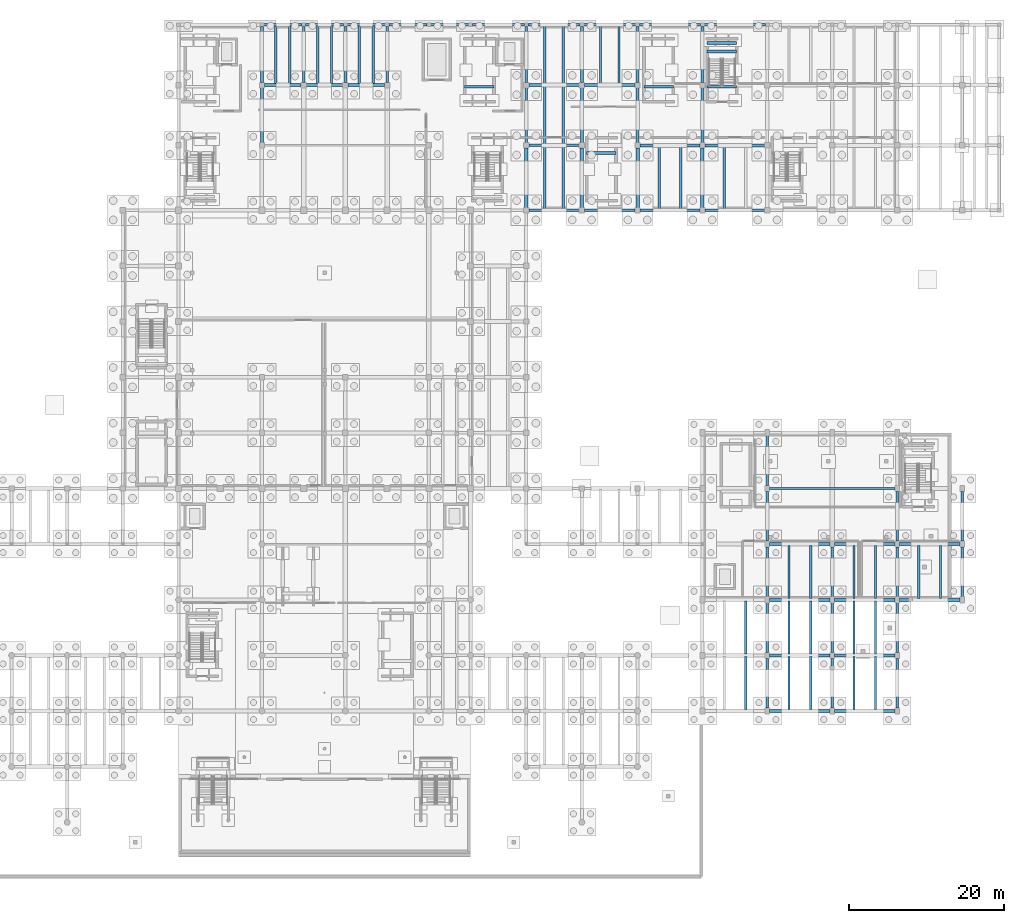
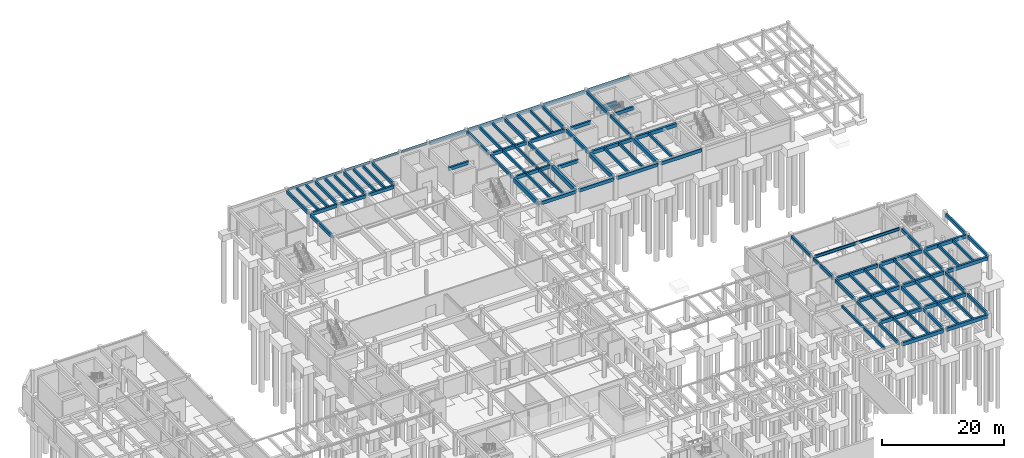
# One storey, part 22 of 46: 103 beams.
"""IFC4 building model written with IfcOpenShell, lengths in metres."""

import ifcopenshell
import ifcopenshell.guid

model = None  # the IFC model being written
_history = None  # IfcOwnerHistory: only IFC2X3 demands one
_inside = {}  # id of a spatial element -> (the spatial element, [elements in it])
_under = {}  # id of a project, library or spatial element -> (it, [spatial elements below it])
_declared = {}  # id of a project -> (the project, [libraries it declares])
_typed = {}  # id of a type object -> (the type object, [elements of that type])
_made_of = {}  # id of a material, layer set ... -> (it, [elements and type objects made of it])


def new_model(schema):
    """Start an empty IFC model of exactly this schema.

    Asked for "IFC4X3", IfcOpenShell would pick the latest addendum, in which some entities
    have other attributes; the version numbers below select the first issue.
    IFC2X3 requires an IfcOwnerHistory on every rooted entity: one is made here for all.
    """
    global model, _history
    if schema == "IFC4X3":
        model = ifcopenshell.file(schema_version=(4, 3, 0, 0))
    else:
        model = ifcopenshell.file(schema=schema)
    _inside.clear()
    _under.clear()
    _declared.clear()
    _typed.clear()
    _made_of.clear()
    _history = None
    if model.schema == "IFC2X3":
        org = make("IfcOrganization", Name="unknown")
        user = make(
            "IfcPersonAndOrganization",
            ThePerson=make("IfcPerson", FamilyName="unknown"),
            TheOrganization=org,
        )
        app = make(
            "IfcApplication",
            ApplicationDeveloper=org,
            Version="unknown",
            ApplicationFullName="unknown",
            ApplicationIdentifier="unknown",
        )
        _history = make(
            "IfcOwnerHistory",
            OwningUser=user,
            OwningApplication=app,
            ChangeAction="ADDED",
            CreationDate=0,
        )
    return model


def make(cls, **values):
    """One entity of the class cls with the attributes given. An attribute that is None is left unset."""
    return model.create_entity(
        cls, **{name: value for name, value in values.items() if value is not None}
    )


def rooted(cls, **values):
    """An entity with a GlobalId (a new one), such as an element, a storey or a relation."""
    return make(cls, GlobalId=ifcopenshell.guid.new(), OwnerHistory=_history, **values)


def si_unit(unit_type, name, prefix=None):
    """IfcSIUnit, for example si_unit("LENGTHUNIT", "METRE", prefix="MILLI")."""
    return make("IfcSIUnit", UnitType=unit_type, Prefix=prefix, Name=name)


def assignment(units):
    """IfcUnitAssignment: the units of a project."""
    return None if units is None else make("IfcUnitAssignment", Units=units)


def point(xyz):
    """IfcCartesianPoint."""
    return None if xyz is None else make("IfcCartesianPoint", Coordinates=xyz)


def direction(xyz):
    """IfcDirection."""
    return None if xyz is None else make("IfcDirection", DirectionRatios=xyz)


def frame(location, z_axis=None, x_axis=None):
    """IfcAxis2Placement3D, a coordinate frame: its origin and axes. An axis left out is left unset."""
    return make(
        "IfcAxis2Placement3D",
        Location=point(location),
        Axis=direction(z_axis),
        RefDirection=direction(x_axis),
    )


def frame_2d(location, x_axis=None):
    """IfcAxis2Placement2D, a coordinate frame in the plane: its origin and x axis."""
    return make(
        "IfcAxis2Placement2D", Location=point(location), RefDirection=direction(x_axis)
    )


def origin():
    """The frame at (0, 0, 0) with its axes left unset."""
    return frame((0.0, 0.0, 0.0))


def origin_2d():
    """The frame at (0, 0) in the plane with its x axis left unset."""
    return frame_2d((0.0, 0.0))


def place(relative_to, where):
    """IfcLocalPlacement: puts the frame where relative to a parent placement (None: the world)."""
    return make(
        "IfcLocalPlacement", PlacementRelTo=relative_to, RelativePlacement=where
    )


def context(
    kind, dimensions, precision=None, world=None, true_north=None, identifier=None
):
    """IfcGeometricRepresentationContext, for example the 3D "Model" context."""
    return make(
        "IfcGeometricRepresentationContext",
        ContextIdentifier=identifier,
        ContextType=kind,
        CoordinateSpaceDimension=dimensions,
        Precision=precision,
        WorldCoordinateSystem=world,
        TrueNorth=true_north,
    )


def subcontext(parent, identifier, kind, view, scale=None):
    """IfcGeometricRepresentationSubContext, for example "Body" below "Model"."""
    return make(
        "IfcGeometricRepresentationSubContext",
        ContextIdentifier=identifier,
        ContextType=kind,
        ParentContext=parent,
        TargetScale=scale,
        TargetView=view,
    )


def project(units=None, contexts=None):
    """IfcProject with its units and contexts."""
    return rooted(
        "IfcProject",
        Name="project",
        RepresentationContexts=contexts,
        UnitsInContext=assignment(units),
    )


def spatial(cls, under=None, at=None, **own):
    """A site, building, storey or space (cls), placed at a placement, below another one or the project."""
    s = rooted(cls, ObjectPlacement=at, **own)
    if under is not None:
        _under.setdefault(under.id(), (under, []))[1].append(s)
    return s


def profile(cls, at=None, kind="AREA", **sizes):
    """A parametric profile (cls). Its sizes go by their IFC names, for example OverallWidth=200.0."""
    return make(cls, ProfileType=kind, Position=at, **sizes)


def rectangle(**sizes):
    """IfcRectangleProfileDef."""
    return profile("IfcRectangleProfileDef", **sizes)


def i_section(**sizes):
    """IfcIShapeProfileDef."""
    return profile("IfcIShapeProfileDef", **sizes)


def extrude(swept, where, along, depth):
    """IfcExtrudedAreaSolid: the profile swept, set in the frame where, extruded along a direction by depth."""
    return make(
        "IfcExtrudedAreaSolid",
        SweptArea=swept,
        Position=where,
        ExtrudedDirection=direction(along),
        Depth=depth,
    )


def shape(context_of_items, identifier, shape_type, items):
    """IfcShapeRepresentation: the items that make up one representation, for example the "Body"."""
    return make(
        "IfcShapeRepresentation",
        ContextOfItems=context_of_items,
        RepresentationIdentifier=identifier,
        RepresentationType=shape_type,
        Items=items,
    )


def material(Name=None, Category=None):
    """IfcMaterial."""
    return make("IfcMaterial", Name=Name, Category=Category)


def material_profile(
    of_material, cross_section, Name=None, Category=None, Priority=None
):
    """IfcMaterialProfile: a cross section and its material."""
    return make(
        "IfcMaterialProfile",
        Name=Name,
        Material=of_material,
        Profile=cross_section,
        Priority=Priority,
        Category=Category,
    )


def profile_set(profiles, Name=None, composite=None):
    """IfcMaterialProfileSet."""
    return make(
        "IfcMaterialProfileSet",
        Name=Name,
        MaterialProfiles=profiles,
        CompositeProfile=composite,
    )


def made_of(thing, what):
    """Note that an element or type object is made of a material, layer set ...; save() writes the relation."""
    if what is not None:
        _made_of.setdefault(what.id(), (what, []))[1].append(thing)
    return thing


def type_object(cls, material=None, **own):
    """A type object (cls), such as IfcWallType, which elements share."""
    return made_of(rooted(cls, **own), material)


def element(
    cls,
    number,
    at=None,
    inside=None,
    cuts=None,
    type_object=None,
    material=None,
    context=None,
    identifier="Body",
    shape_type=None,
    held_by="IfcProductDefinitionShape",
    body=None,
    shapes=None,
    **own,
):
    """One element of the class cls, such as IfcWall. Its Tag is "e" and its number.

    at: its placement. inside: the storey or other place that contains it. cuts: it is an
    opening in that element (IfcRelVoidsElement). A single representation is given by context,
    identifier, shape_type and body (its items); several are given by shapes. held_by: the class
    of the entity that holds the representations. save() writes the other relations.
    """
    e = rooted(cls, Tag="e%d" % number, ObjectPlacement=at, **own)
    if body is not None:
        shapes = [shape(context, identifier, shape_type, body)]
    if shapes is not None:
        e.Representation = make(held_by, Representations=shapes)
    if inside is not None:
        _inside.setdefault(inside.id(), (inside, []))[1].append(e)
    if cuts is not None:
        rooted(
            "IfcRelVoidsElement", RelatingBuildingElement=cuts, RelatedOpeningElement=e
        )
    if type_object is not None:
        _typed.setdefault(type_object.id(), (type_object, []))[1].append(e)
    return made_of(e, material)


def aggregate(whole, parts):
    """IfcRelAggregates: a whole, such as a stair, and the parts it consists of."""
    return rooted("IfcRelAggregates", RelatingObject=whole, RelatedObjects=parts)


def save(model, path):
    """Write the relations noted so far, then the file.

    IfcRelAggregates (storeys below a building ...), IfcRelContainedInSpatialStructure (elements
    in a storey), IfcRelDefinesByType, IfcRelAssociatesMaterial and IfcRelDeclares: one each for
    every whole, place, type object, material and project.
    """
    for whole, parts in _under.values():
        aggregate(whole, parts)
    for where, things in _inside.values():
        rooted(
            "IfcRelContainedInSpatialStructure",
            RelatedElements=things,
            RelatingStructure=where,
        )
    for kind, things in _typed.values():
        rooted("IfcRelDefinesByType", RelatedObjects=things, RelatingType=kind)
    for what, things in _made_of.values():
        rooted("IfcRelAssociatesMaterial", RelatedObjects=things, RelatingMaterial=what)
    for by, libraries in _declared.values():
        rooted("IfcRelDeclares", RelatingContext=by, RelatedDefinitions=libraries)
    model.write(path)


model = new_model("IFC4")

# Units and contexts
model_context = context("Model", 3, precision=1e-05, world=origin(), true_north=direction((0.0, 1.0)))
body_context = subcontext(model_context, "Body", "Model", "MODEL_VIEW")
ifc_project = project(units=[si_unit("LENGTHUNIT", "METRE"), si_unit("AREAUNIT", "SQUARE_METRE"), si_unit("VOLUMEUNIT", "CUBIC_METRE"), si_unit("PLANEANGLEUNIT", "RADIAN"), si_unit("MASSUNIT", "GRAM", prefix="KILO")], contexts=[model_context])

# Site, building, storey
site_placement = place(None, origin())
site = spatial("IfcSite", under=ifc_project, at=site_placement, CompositionType="ELEMENT")
building_placement = place(site_placement, origin())
building = spatial("IfcBuilding", under=site, at=building_placement, Name="Tazoul Stagehouse", CompositionType="ELEMENT")
storey_placement = place(building_placement, frame((0.0, 0.0, -4.800048828125)))
storey = spatial("IfcBuildingStorey", under=building, at=storey_placement, Name="B1", CompositionType="ELEMENT", Elevation=-4.800048828125)

# Beams
ifc_material_1 = material(Name="Concrete C40/50", Category="concrete")
ifc_material_profile_1 = material_profile(ifc_material_1, rectangle(XDim=0.35009765625, YDim=0.64990234375, at=origin_2d()), Name="RC 350x650")
ifc_profile_set_1 = profile_set([ifc_material_profile_1], Name="Concrete C40/50")
beam_type_1 = type_object("IfcBeamType", Name="RC Perimeter Spandrel 350x650 (Exterior)", PredefinedType="SPANDREL", material=ifc_profile_set_1)
for number, where, z_axis, x_axis, name in (
    (1, (102.925048828125, 87.800048828125, 4.153076171875), (1.0, 0.0, 0.0), (0.0, 1.0, 0.0), "B1 Beam SP-01E N/16-17"),
    (2, (110.125, 87.800048828125, 4.153076171875), (1.0, 0.0, 0.0), (0.0, 1.0, 0.0), "B1 Beam SP-01E N/17-18"),
):
    element("IfcBeam", number, at=place(storey_placement, frame(where, z_axis=z_axis, x_axis=x_axis)), inside=storey, type_object=beam_type_1, Name=name, PredefinedType="SPANDREL", context=body_context, shape_type="SweptSolid", body=[
        extrude(rectangle(XDim=0.35009765625, YDim=0.64990234375, at=origin_2d()), origin(), (0.0, 0.0, 1.0), 6.550048828125),
    ])
for number, where, z_axis, x_axis, name in (
    (3, (117.324951171875, 87.800048828125, 4.153076171875), (1.0, 0.0, 0.0), (0.0, 1.0, 0.0), "B1 Beam SP-01E N/18-19"),
    (4, (125.72509765625, 87.800048828125, 4.153076171875), (1.0, 0.0, 0.0), (0.0, 1.0, 0.0), "B1 Beam SP-01E N/19-20"),
):
    element("IfcBeam", number, at=place(storey_placement, frame(where, z_axis=z_axis, x_axis=x_axis)), inside=storey, type_object=beam_type_1, Name=name, PredefinedType="SPANDREL", context=body_context, shape_type="SweptSolid", body=[
        extrude(rectangle(XDim=0.35009765625, YDim=0.64990234375, at=origin_2d()), origin(), (0.0, 0.0, 1.0), 7.75),
    ])
for number, where, z_axis, x_axis, name in (
    (5, (95.625, 111.800048828125, 4.153076171875), (1.0, 0.0, 0.0), (0.0, 1.0, 0.0), "B1 Beam SP-01E R/15-16"),
    (6, (102.824951171875, 111.800048828125, 4.153076171875), (1.0, 0.0, 0.0), (0.0, 1.0, 0.0), "B1 Beam SP-01E R/16-17"),
    (7, (110.02490234375, 111.800048828125, 4.153076171875), (1.0, 0.0, 0.0), (0.0, 1.0, 0.0), "B1 Beam SP-01E R/17-18"),
):
    element("IfcBeam", number, at=place(storey_placement, frame(where, z_axis=z_axis, x_axis=x_axis)), inside=storey, type_object=beam_type_1, Name=name, PredefinedType="SPANDREL", context=body_context, shape_type="SweptSolid", body=[
        extrude(rectangle(XDim=0.35009765625, YDim=0.64990234375, at=origin_2d()), origin(), (0.0, 0.0, 1.0), 6.75),
    ])
for number, where, z_axis, x_axis, name in (
    (8, (117.22509765625, 111.800048828125, 4.153076171875), (1.0, 0.0, 0.0), (0.0, 1.0, 0.0), "B1 Beam SP-01E R/18-19"),
    (9, (125.625, 111.800048828125, 4.153076171875), (1.0, 0.0, 0.0), (0.0, 1.0, 0.0), "B1 Beam SP-01E R/19-20"),
):
    element("IfcBeam", number, at=place(storey_placement, frame(where, z_axis=z_axis, x_axis=x_axis)), inside=storey, type_object=beam_type_1, Name=name, PredefinedType="SPANDREL", context=body_context, shape_type="SweptSolid", body=[
        extrude(rectangle(XDim=0.35009765625, YDim=0.64990234375, at=origin_2d()), origin(), (0.0, 0.0, 1.0), 7.949951171875),
    ])
ifc_material_profile_2 = material_profile(ifc_material_1, rectangle(XDim=0.35009765625, YDim=0.64990234375, at=origin_2d()), Name="RC 350x650")
ifc_profile_set_2 = profile_set([ifc_material_profile_2], Name="Concrete C40/50")
beam_type_2 = type_object("IfcBeamType", Name="RC Primary Girder 350x650", PredefinedType="BEAM", material=ifc_profile_set_2)
beam_1_placement = place(storey_placement, frame((102.925048828125, 96.199951171875, 4.153076171875), z_axis=(1.0, 0.0, 0.0), x_axis=(0.0, 1.0, 0.0)))
element("IfcBeam", 10, at=beam_1_placement, inside=storey, type_object=beam_type_2, Name="B1 Beam BM-01 P/16-17", PredefinedType="BEAM", context=body_context, shape_type="SweptSolid", body=[
    extrude(rectangle(XDim=0.35009765625, YDim=0.64990234375, at=origin_2d()), origin(), (0.0, 0.0, 1.0), 6.550048828125),
])
for number, where, z_axis, x_axis, name in (
    (11, (68.72509765625, 104.0, 4.153076171875), (1.0, 0.0, 0.0), (0.0, 1.0, 0.0), "B1 Beam BM-01 Q/10-11"),
    (12, (74.125, 104.0, 4.153076171875), (1.0, 0.0, 0.0), (0.0, 1.0, 0.0), "B1 Beam BM-01 Q/11-12"),
    (13, (79.52490234375, 104.0, 4.153076171875), (1.0, 0.0, 0.0), (0.0, 1.0, 0.0), "B1 Beam BM-01 Q/12-13"),
):
    element("IfcBeam", number, at=place(storey_placement, frame(where, z_axis=z_axis, x_axis=x_axis)), inside=storey, type_object=beam_type_2, Name=name, PredefinedType="BEAM", context=body_context, shape_type="SweptSolid", body=[
        extrude(rectangle(XDim=0.35009765625, YDim=0.64990234375, at=origin_2d()), origin(), (0.0, 0.0, 1.0), 4.75),
    ])
for number, where, z_axis, x_axis, name in (
    (14, (102.925048828125, 104.0, 4.153076171875), (1.0, 0.0, 0.0), (0.0, 1.0, 0.0), "B1 Beam BM-01 Q/16-17"),
    (15, (110.125, 104.0, 4.153076171875), (1.0, 0.0, 0.0), (0.0, 1.0, 0.0), "B1 Beam BM-01 Q/17-18"),
):
    element("IfcBeam", number, at=place(storey_placement, frame(where, z_axis=z_axis, x_axis=x_axis)), inside=storey, type_object=beam_type_2, Name=name, PredefinedType="BEAM", context=body_context, shape_type="SweptSolid", body=[
        extrude(rectangle(XDim=0.35009765625, YDim=0.64990234375, at=origin_2d()), origin(), (0.0, 0.0, 1.0), 6.550048828125),
    ])
beam_2_placement = place(storey_placement, frame((68.39990234375, 96.52490234375, 4.153076171875), z_axis=(0.0, 1.0, 0.0), x_axis=(-1.0, 0.0, 0.0)))
element("IfcBeam", 16, at=beam_2_placement, inside=storey, type_object=beam_type_2, Name="B1 Beam BM-01 10/P-Q", PredefinedType="BEAM", context=body_context, shape_type="SweptSolid", body=[
    extrude(rectangle(XDim=0.35009765625, YDim=0.64990234375, at=origin_2d()), origin(), (0.0, 0.0, 1.0), 7.150146484375),
])
for number, where, z_axis, x_axis, name in (
    (17, (68.39990234375, 104.324951171875, 4.153076171875), (0.0, 1.0, 0.0), (-1.0, 0.0, 0.0), "B1 Beam BM-01 10/Q-R"),
    (18, (73.800048828125, 104.324951171875, 4.153076171875), (0.0, 1.0, 0.0), (-1.0, 0.0, 0.0), "B1 Beam BM-01 11/Q-R"),
    (19, (79.199951171875, 104.324951171875, 4.153076171875), (0.0, 1.0, 0.0), (-1.0, 0.0, 0.0), "B1 Beam BM-01 12/Q-R"),
    (20, (84.60009765625, 104.324951171875, 4.153076171875), (0.0, 1.0, 0.0), (-1.0, 0.0, 0.0), "B1 Beam BM-01 13/Q-R"),
):
    element("IfcBeam", number, at=place(storey_placement, frame(where, z_axis=z_axis, x_axis=x_axis)), inside=storey, type_object=beam_type_2, Name=name, PredefinedType="BEAM", context=body_context, shape_type="SweptSolid", body=[
        extrude(rectangle(XDim=0.35009765625, YDim=0.64990234375, at=origin_2d()), origin(), (0.0, 0.0, 1.0), 7.25),
    ])
beam_3_placement = place(storey_placement, frame((102.60009765625, 96.52490234375, 4.153076171875), z_axis=(0.0, 1.0, 0.0), x_axis=(-1.0, 0.0, 0.0)))
element("IfcBeam", 21, at=beam_3_placement, inside=storey, type_object=beam_type_2, Name="B1 Beam BM-01 16/P-Q", PredefinedType="BEAM", context=body_context, shape_type="SweptSolid", body=[
    extrude(rectangle(XDim=0.35009765625, YDim=0.64990234375, at=origin_2d()), origin(), (0.0, 0.0, 1.0), 7.150146484375),
])
beam_4_placement = place(storey_placement, frame((102.60009765625, 104.324951171875, 4.153076171875), z_axis=(0.0, 1.0, 0.0), x_axis=(-1.0, 0.0, 0.0)))
element("IfcBeam", 22, at=beam_4_placement, inside=storey, type_object=beam_type_2, Name="B1 Beam BM-01 16/Q-R", PredefinedType="BEAM", context=body_context, shape_type="SweptSolid", body=[
    extrude(rectangle(XDim=0.35009765625, YDim=0.64990234375, at=origin_2d()), origin(), (0.0, 0.0, 1.0), 7.25),
])
beam_5_placement = place(storey_placement, frame((109.800048828125, 96.52490234375, 4.153076171875), z_axis=(0.0, 1.0, 0.0), x_axis=(-1.0, 0.0, 0.0)))
element("IfcBeam", 23, at=beam_5_placement, inside=storey, type_object=beam_type_2, Name="B1 Beam BM-01 17/P-Q", PredefinedType="BEAM", context=body_context, shape_type="SweptSolid", body=[
    extrude(rectangle(XDim=0.35009765625, YDim=0.64990234375, at=origin_2d()), origin(), (0.0, 0.0, 1.0), 7.150146484375),
])
beam_6_placement = place(storey_placement, frame((109.800048828125, 104.324951171875, 4.153076171875), z_axis=(0.0, 1.0, 0.0), x_axis=(-1.0, 0.0, 0.0)))
element("IfcBeam", 24, at=beam_6_placement, inside=storey, type_object=beam_type_2, Name="B1 Beam BM-01 17/Q-R", PredefinedType="BEAM", context=body_context, shape_type="SweptSolid", body=[
    extrude(rectangle(XDim=0.35009765625, YDim=0.64990234375, at=origin_2d()), origin(), (0.0, 0.0, 1.0), 7.25),
])
beam_7_placement = place(storey_placement, frame((117.0, 96.52490234375, 4.153076171875), z_axis=(0.0, 1.0, 0.0), x_axis=(-1.0, 0.0, 0.0)))
element("IfcBeam", 25, at=beam_7_placement, inside=storey, type_object=beam_type_2, Name="B1 Beam BM-01 18/P-Q", PredefinedType="BEAM", context=body_context, shape_type="SweptSolid", body=[
    extrude(rectangle(XDim=0.35009765625, YDim=0.64990234375, at=origin_2d()), origin(), (0.0, 0.0, 1.0), 7.150146484375),
])
beam_8_placement = place(storey_placement, frame((117.0, 104.324951171875, 4.153076171875), z_axis=(0.0, 1.0, 0.0), x_axis=(-1.0, 0.0, 0.0)))
element("IfcBeam", 26, at=beam_8_placement, inside=storey, type_object=beam_type_2, Name="B1 Beam BM-01 18/Q-R", PredefinedType="BEAM", context=body_context, shape_type="SweptSolid", body=[
    extrude(rectangle(XDim=0.35009765625, YDim=0.64990234375, at=origin_2d()), origin(), (0.0, 0.0, 1.0), 7.25),
])
beam_9_placement = place(storey_placement, frame((125.39990234375, 96.52490234375, 4.153076171875), z_axis=(0.0, 1.0, 0.0), x_axis=(-1.0, 0.0, 0.0)))
element("IfcBeam", 27, at=beam_9_placement, inside=storey, type_object=beam_type_2, Name="B1 Beam BM-01 19/P-Q", PredefinedType="BEAM", context=body_context, shape_type="SweptSolid", body=[
    extrude(rectangle(XDim=0.35009765625, YDim=0.64990234375, at=origin_2d()), origin(), (0.0, 0.0, 1.0), 7.150146484375),
])
beam_10_placement = place(storey_placement, frame((125.39990234375, 104.324951171875, 4.153076171875), z_axis=(0.0, 1.0, 0.0), x_axis=(-1.0, 0.0, 0.0)))
element("IfcBeam", 28, at=beam_10_placement, inside=storey, type_object=beam_type_2, Name="B1 Beam BM-01 19/Q-R", PredefinedType="BEAM", context=body_context, shape_type="SweptSolid", body=[
    extrude(rectangle(XDim=0.35009765625, YDim=0.64990234375, at=origin_2d()), origin(), (0.0, 0.0, 1.0), 7.25),
])
for number, where, z_axis, x_axis, name in (
    (29, (133.800048828125, 23.375, 4.193115234375), (0.0, 1.0, 0.0), (-1.0, 0.0, 0.0), "B1 Beam BM-01 20/D-E"),
    (30, (133.800048828125, 30.574951171875, 4.193115234375), (0.0, 1.0, 0.0), (-1.0, 0.0, 0.0), "B1 Beam BM-01 20/E-F"),
):
    element("IfcBeam", number, at=place(storey_placement, frame(where, z_axis=z_axis, x_axis=x_axis)), inside=storey, type_object=beam_type_2, Name=name, PredefinedType="BEAM", context=body_context, shape_type="SweptSolid", body=[
        extrude(rectangle(XDim=0.35009765625, YDim=0.64990234375, at=origin_2d()), origin(), (0.0, 0.0, 1.0), 6.449951171875),
    ])
beam_11_placement = place(storey_placement, frame((133.800048828125, 37.77490234375, 4.193115234375), z_axis=(0.0, 1.0, 0.0), x_axis=(-1.0, 0.0, 0.0)))
element("IfcBeam", 31, at=beam_11_placement, inside=storey, type_object=beam_type_2, Name="B1 Beam BM-01 20/F-G", PredefinedType="BEAM", context=body_context, shape_type="SweptSolid", body=[
    extrude(rectangle(XDim=0.35009765625, YDim=0.64990234375, at=origin_2d()), origin(), (0.0, 0.0, 1.0), 6.4501953125),
])
for number, where, z_axis, x_axis, name in (
    (32, (133.800048828125, 44.97509765625, 4.193115234375), (0.0, 1.0, 0.0), (-1.0, 0.0, 0.0), "B1 Beam BM-01 20/G-H"),
    (33, (133.800048828125, 52.175048828125, 4.193115234375), (0.0, 1.0, 0.0), (-1.0, 0.0, 0.0), "B1 Beam BM-01 20/H-J"),
    (34, (142.199951171875, 23.375, 4.193115234375), (0.0, 1.0, 0.0), (-1.0, 0.0, 0.0), "B1 Beam BM-01 21/D-E"),
    (35, (142.199951171875, 30.574951171875, 4.193115234375), (0.0, 1.0, 0.0), (-1.0, 0.0, 0.0), "B1 Beam BM-01 21/E-F"),
):
    element("IfcBeam", number, at=place(storey_placement, frame(where, z_axis=z_axis, x_axis=x_axis)), inside=storey, type_object=beam_type_2, Name=name, PredefinedType="BEAM", context=body_context, shape_type="SweptSolid", body=[
        extrude(rectangle(XDim=0.35009765625, YDim=0.64990234375, at=origin_2d()), origin(), (0.0, 0.0, 1.0), 6.449951171875),
    ])
beam_12_placement = place(storey_placement, frame((142.199951171875, 37.77490234375, 4.193115234375), z_axis=(0.0, 1.0, 0.0), x_axis=(-1.0, 0.0, 0.0)))
element("IfcBeam", 36, at=beam_12_placement, inside=storey, type_object=beam_type_2, Name="B1 Beam BM-01 21/F-G", PredefinedType="BEAM", context=body_context, shape_type="SweptSolid", body=[
    extrude(rectangle(XDim=0.35009765625, YDim=0.64990234375, at=origin_2d()), origin(), (0.0, 0.0, 1.0), 6.4501953125),
])
for number, where, z_axis, x_axis, name in (
    (37, (150.60009765625, 23.375, 4.193115234375), (0.0, 1.0, 0.0), (-1.0, 0.0, 0.0), "B1 Beam BM-01 22/D-E"),
    (38, (150.60009765625, 30.574951171875, 4.193115234375), (0.0, 1.0, 0.0), (-1.0, 0.0, 0.0), "B1 Beam BM-01 22/E-F"),
):
    element("IfcBeam", number, at=place(storey_placement, frame(where, z_axis=z_axis, x_axis=x_axis)), inside=storey, type_object=beam_type_2, Name=name, PredefinedType="BEAM", context=body_context, shape_type="SweptSolid", body=[
        extrude(rectangle(XDim=0.35009765625, YDim=0.64990234375, at=origin_2d()), origin(), (0.0, 0.0, 1.0), 6.449951171875),
    ])
beam_13_placement = place(storey_placement, frame((150.60009765625, 37.77490234375, 4.193115234375), z_axis=(0.0, 1.0, 0.0), x_axis=(-1.0, 0.0, 0.0)))
element("IfcBeam", 39, at=beam_13_placement, inside=storey, type_object=beam_type_2, Name="B1 Beam BM-01 22/F-G", PredefinedType="BEAM", context=body_context, shape_type="SweptSolid", body=[
    extrude(rectangle(XDim=0.35009765625, YDim=0.64990234375, at=origin_2d()), origin(), (0.0, 0.0, 1.0), 6.4501953125),
])
beam_14_placement = place(storey_placement, frame((150.60009765625, 44.97509765625, 4.193115234375), z_axis=(0.0, 1.0, 0.0), x_axis=(-1.0, 0.0, 0.0)))
element("IfcBeam", 40, at=beam_14_placement, inside=storey, type_object=beam_type_2, Name="B1 Beam BM-01 22/G-H", PredefinedType="BEAM", context=body_context, shape_type="SweptSolid", body=[
    extrude(rectangle(XDim=0.35009765625, YDim=0.64990234375, at=origin_2d()), origin(), (0.0, 0.0, 1.0), 6.449951171875),
])
beam_15_placement = place(storey_placement, frame((159.0, 37.77490234375, 4.193115234375), z_axis=(0.0, 1.0, 0.0), x_axis=(-1.0, 0.0, 0.0)))
element("IfcBeam", 41, at=beam_15_placement, inside=storey, type_object=beam_type_2, Name="B1 Beam BM-01 23/F-G", PredefinedType="BEAM", context=body_context, shape_type="SweptSolid", body=[
    extrude(rectangle(XDim=0.35009765625, YDim=0.64990234375, at=origin_2d()), origin(), (0.0, 0.0, 1.0), 6.4501953125),
])
beam_16_placement = place(storey_placement, frame((159.0, 44.97509765625, 4.193115234375), z_axis=(0.0, 1.0, 0.0), x_axis=(-1.0, 0.0, 0.0)))
element("IfcBeam", 42, at=beam_16_placement, inside=storey, type_object=beam_type_2, Name="B1 Beam BM-01 23/G-H", PredefinedType="BEAM", context=body_context, shape_type="SweptSolid", body=[
    extrude(rectangle(XDim=0.35009765625, YDim=0.64990234375, at=origin_2d()), origin(), (0.0, 0.0, 1.0), 6.449951171875),
])
for number, where, z_axis, x_axis, name in (
    (43, (94.6201171875, 103.800048828125, 4.195068359375), (1.0, 0.0, 0.0), (0.0, 1.0, 0.0), "B1 Stair Base Departure Trimmer BM-01 (ST-01-FL0)"),
    (44, (117.820068359375, 103.800048828125, 4.195068359375), (1.0, 0.0, 0.0), (0.0, 1.0, 0.0), "B1 Stair Base Departure Trimmer BM-01 (ST-02-FL0)"),
):
    element("IfcBeam", number, at=place(storey_placement, frame(where, z_axis=z_axis, x_axis=x_axis)), inside=storey, type_object=beam_type_2, Name=name, PredefinedType="BEAM", context=body_context, shape_type="SweptSolid", body=[
        extrude(rectangle(XDim=0.35009765625, YDim=0.64990234375, at=origin_2d()), origin(), (0.0, 0.0, 1.0), 3.809814453125),
    ])
for number, where, z_axis, x_axis, name in (
    (45, (126.02001953125, 108.35009765625, 1.880126953125), (1.0, 0.0, 0.0), (0.0, 1.0, 0.0), "B1 Stair Half-Landing Trimmer BM-01 (ST-B2-1)"),
    (46, (126.02001953125, 109.449951171875, 1.880126953125), (1.0, 0.0, 0.0), (0.0, 1.0, 0.0), "B1 Stair Half-Landing Trimmer BM-01 (ST-B2-2)"),
    (47, (126.02001953125, 103.800048828125, 4.195068359375), (1.0, 0.0, 0.0), (0.0, 1.0, 0.0), "B1 Stair Landing Trimmer BM-01 (ST-B2-FL)"),
    (48, (110.419921875, 95.199951171875, 4.195068359375), (1.0, 0.0, 0.0), (0.0, 1.0, 0.0), "B1 Stair Base Departure Trimmer BM-01 (ST-04-FL0)"),
):
    element("IfcBeam", number, at=place(storey_placement, frame(where, z_axis=z_axis, x_axis=x_axis)), inside=storey, type_object=beam_type_2, Name=name, PredefinedType="BEAM", context=body_context, shape_type="SweptSolid", body=[
        extrude(rectangle(XDim=0.35009765625, YDim=0.64990234375, at=origin_2d()), origin(), (0.0, 0.0, 1.0), 3.81005859375),
    ])
ifc_material_profile_3 = material_profile(ifc_material_1, rectangle(XDim=0.39990234375, YDim=0.699951171875, at=origin_2d()), Name="RC 400x700")
ifc_profile_set_3 = profile_set([ifc_material_profile_3], Name="Concrete C40/50")
beam_type_3 = type_object("IfcBeamType", Name="RC Primary Girder 400x700", PredefinedType="BEAM", material=ifc_profile_set_3)
beam_17_placement = place(storey_placement, frame((134.074951171875, 23.0, 4.16796875), z_axis=(1.0, 0.0, 0.0), x_axis=(0.0, 1.0, 0.0)))
element("IfcBeam", 49, at=beam_17_placement, inside=storey, type_object=beam_type_3, Name="B1 Beam BM-02 D/20-21", PredefinedType="BEAM", context=body_context, shape_type="SweptSolid", body=[
    extrude(rectangle(XDim=0.39990234375, YDim=0.699951171875, at=origin_2d()), origin(), (0.0, 0.0, 1.0), 7.85009765625),
])
beam_18_placement = place(storey_placement, frame((142.47509765625, 23.0, 4.16796875), z_axis=(1.0, 0.0, 0.0), x_axis=(0.0, 1.0, 0.0)))
element("IfcBeam", 50, at=beam_18_placement, inside=storey, type_object=beam_type_3, Name="B1 Beam BM-02 D/21-22", PredefinedType="BEAM", context=body_context, shape_type="SweptSolid", body=[
    extrude(rectangle(XDim=0.39990234375, YDim=0.699951171875, at=origin_2d()), origin(), (0.0, 0.0, 1.0), 7.849853515625),
])
beam_19_placement = place(storey_placement, frame((134.074951171875, 30.199951171875, 4.16796875), z_axis=(1.0, 0.0, 0.0), x_axis=(0.0, 1.0, 0.0)))
element("IfcBeam", 51, at=beam_19_placement, inside=storey, type_object=beam_type_3, Name="B1 Beam BM-02 E/20-21", PredefinedType="BEAM", context=body_context, shape_type="SweptSolid", body=[
    extrude(rectangle(XDim=0.39990234375, YDim=0.699951171875, at=origin_2d()), origin(), (0.0, 0.0, 1.0), 7.85009765625),
])
beam_20_placement = place(storey_placement, frame((142.47509765625, 30.199951171875, 4.16796875), z_axis=(1.0, 0.0, 0.0), x_axis=(0.0, 1.0, 0.0)))
element("IfcBeam", 52, at=beam_20_placement, inside=storey, type_object=beam_type_3, Name="B1 Beam BM-02 E/21-22", PredefinedType="BEAM", context=body_context, shape_type="SweptSolid", body=[
    extrude(rectangle(XDim=0.39990234375, YDim=0.699951171875, at=origin_2d()), origin(), (0.0, 0.0, 1.0), 7.849853515625),
])
beam_21_placement = place(storey_placement, frame((134.074951171875, 37.39990234375, 4.16796875), z_axis=(1.0, 0.0, 0.0), x_axis=(0.0, 1.0, 0.0)))
element("IfcBeam", 53, at=beam_21_placement, inside=storey, type_object=beam_type_3, Name="B1 Beam BM-02 F/20-21", PredefinedType="BEAM", context=body_context, shape_type="SweptSolid", body=[
    extrude(rectangle(XDim=0.39990234375, YDim=0.699951171875, at=origin_2d()), origin(), (0.0, 0.0, 1.0), 7.85009765625),
])
beam_22_placement = place(storey_placement, frame((142.47509765625, 37.39990234375, 4.16796875), z_axis=(1.0, 0.0, 0.0), x_axis=(0.0, 1.0, 0.0)))
element("IfcBeam", 54, at=beam_22_placement, inside=storey, type_object=beam_type_3, Name="B1 Beam BM-02 F/21-22", PredefinedType="BEAM", context=body_context, shape_type="SweptSolid", body=[
    extrude(rectangle(XDim=0.39990234375, YDim=0.699951171875, at=origin_2d()), origin(), (0.0, 0.0, 1.0), 7.849853515625),
])
for number, where, z_axis, x_axis, name in (
    (55, (150.875, 37.39990234375, 4.16796875), (1.0, 0.0, 0.0), (0.0, 1.0, 0.0), "B1 Beam BM-02 F/22-23"),
    (56, (134.074951171875, 44.60009765625, 4.16796875), (1.0, 0.0, 0.0), (0.0, 1.0, 0.0), "B1 Beam BM-02 G/20-21"),
):
    element("IfcBeam", number, at=place(storey_placement, frame(where, z_axis=z_axis, x_axis=x_axis)), inside=storey, type_object=beam_type_3, Name=name, PredefinedType="BEAM", context=body_context, shape_type="SweptSolid", body=[
        extrude(rectangle(XDim=0.39990234375, YDim=0.699951171875, at=origin_2d()), origin(), (0.0, 0.0, 1.0), 7.85009765625),
    ])
beam_23_placement = place(storey_placement, frame((142.47509765625, 44.60009765625, 4.16796875), z_axis=(1.0, 0.0, 0.0), x_axis=(0.0, 1.0, 0.0)))
element("IfcBeam", 57, at=beam_23_placement, inside=storey, type_object=beam_type_3, Name="B1 Beam BM-02 G/21-22", PredefinedType="BEAM", context=body_context, shape_type="SweptSolid", body=[
    extrude(rectangle(XDim=0.39990234375, YDim=0.699951171875, at=origin_2d()), origin(), (0.0, 0.0, 1.0), 7.849853515625),
])
beam_24_placement = place(storey_placement, frame((150.875, 44.60009765625, 4.16796875), z_axis=(1.0, 0.0, 0.0), x_axis=(0.0, 1.0, 0.0)))
element("IfcBeam", 58, at=beam_24_placement, inside=storey, type_object=beam_type_3, Name="B1 Beam BM-02 G/22-23", PredefinedType="BEAM", context=body_context, shape_type="SweptSolid", body=[
    extrude(rectangle(XDim=0.39990234375, YDim=0.699951171875, at=origin_2d()), origin(), (0.0, 0.0, 1.0), 7.85009765625),
])
for number, where, z_axis, x_axis, name in (
    (59, (117.324951171875, 96.199951171875, 4.1279296875), (1.0, 0.0, 0.0), (0.0, 1.0, 0.0), "B1 Beam BM-02 P/18-19"),
    (60, (125.72509765625, 96.199951171875, 4.1279296875), (1.0, 0.0, 0.0), (0.0, 1.0, 0.0), "B1 Beam BM-02 P/19-20"),
):
    element("IfcBeam", number, at=place(storey_placement, frame(where, z_axis=z_axis, x_axis=x_axis)), inside=storey, type_object=beam_type_3, Name=name, PredefinedType="BEAM", context=body_context, shape_type="SweptSolid", body=[
        extrude(rectangle(XDim=0.39990234375, YDim=0.699951171875, at=origin_2d()), origin(), (0.0, 0.0, 1.0), 7.75),
    ])
ifc_material_profile_4 = material_profile(ifc_material_1, rectangle(XDim=0.449951171875, YDim=0.85009765625, at=origin_2d()), Name="RC 450x850")
ifc_profile_set_4 = profile_set([ifc_material_profile_4], Name="Concrete C40/50")
beam_type_4 = type_object("IfcBeamType", Name="RC Primary Girder 450x850", PredefinedType="BEAM", material=ifc_profile_set_4)
for number, where, z_axis, x_axis, name in (
    (61, (102.60009765625, 88.125, 4.052978515625), (0.0, 1.0, 0.0), (-1.0, 0.0, 0.0), "B1 Beam BM-03 16/N-P"),
    (62, (109.800048828125, 88.125, 4.052978515625), (0.0, 1.0, 0.0), (-1.0, 0.0, 0.0), "B1 Beam BM-03 17/N-P"),
    (63, (117.0, 88.125, 4.052978515625), (0.0, 1.0, 0.0), (-1.0, 0.0, 0.0), "B1 Beam BM-03 18/N-P"),
    (64, (125.39990234375, 88.125, 4.052978515625), (0.0, 1.0, 0.0), (-1.0, 0.0, 0.0), "B1 Beam BM-03 19/N-P"),
):
    element("IfcBeam", number, at=place(storey_placement, frame(where, z_axis=z_axis, x_axis=x_axis)), inside=storey, type_object=beam_type_4, Name=name, PredefinedType="BEAM", context=body_context, shape_type="SweptSolid", body=[
        extrude(rectangle(XDim=0.449951171875, YDim=0.85009765625, at=origin_2d()), origin(), (0.0, 0.0, 1.0), 7.75),
    ])
ifc_material_2 = material(Name="Concrete C35/45", Category="concrete")
ifc_material_profile_5 = material_profile(ifc_material_2, rectangle(XDim=0.300048828125, YDim=0.550048828125, at=origin_2d()), Name="RC 300x550")
ifc_profile_set_5 = profile_set([ifc_material_profile_5], Name="Concrete C35/45")
beam_type_5 = type_object("IfcBeamType", Name="RC Rib Joist 300x550", PredefinedType="JOIST", material=ifc_profile_set_5)
for number, where, z_axis, x_axis, name in (
    (65, (131.0, 23.175048828125, 4.2431640625), (0.0, 1.0, 0.0), (-1.0, 0.0, 0.0), "B1 Joist JS-06 19/D-2"),
    (66, (136.60009765625, 23.175048828125, 4.2431640625), (0.0, 1.0, 0.0), (-1.0, 0.0, 0.0), "B1 Joist JS-06 20/D-1"),
    (67, (139.39990234375, 23.175048828125, 4.2431640625), (0.0, 1.0, 0.0), (-1.0, 0.0, 0.0), "B1 Joist JS-06 20/D-2"),
    (68, (145.0, 23.175048828125, 4.2431640625), (0.0, 1.0, 0.0), (-1.0, 0.0, 0.0), "B1 Joist JS-06 21/D-1"),
    (69, (147.800048828125, 23.175048828125, 4.2431640625), (0.0, 1.0, 0.0), (-1.0, 0.0, 0.0), "B1 Joist JS-06 21/D-2"),
):
    element("IfcBeam", number, at=place(storey_placement, frame(where, z_axis=z_axis, x_axis=x_axis)), inside=storey, type_object=beam_type_5, Name=name, PredefinedType="JOIST", context=body_context, shape_type="SweptSolid", body=[
        extrude(rectangle(XDim=0.300048828125, YDim=0.550048828125, at=origin_2d()), origin(), (0.0, 0.0, 1.0), 6.849853515625),
    ])
for number, where, z_axis, x_axis, name in (
    (70, (131.0, 30.375, 4.2431640625), (0.0, 1.0, 0.0), (-1.0, 0.0, 0.0), "B1 Joist JS-06 19/E-2"),
    (71, (136.60009765625, 30.375, 4.2431640625), (0.0, 1.0, 0.0), (-1.0, 0.0, 0.0), "B1 Joist JS-06 20/E-1"),
    (72, (139.39990234375, 30.375, 4.2431640625), (0.0, 1.0, 0.0), (-1.0, 0.0, 0.0), "B1 Joist JS-06 20/E-2"),
    (73, (145.0, 30.375, 4.2431640625), (0.0, 1.0, 0.0), (-1.0, 0.0, 0.0), "B1 Joist JS-06 21/E-1"),
    (74, (147.800048828125, 30.375, 4.2431640625), (0.0, 1.0, 0.0), (-1.0, 0.0, 0.0), "B1 Joist JS-06 21/E-2"),
    (75, (136.60009765625, 37.574951171875, 4.2431640625), (0.0, 1.0, 0.0), (-1.0, 0.0, 0.0), "B1 Joist JS-06 20/F-1"),
    (76, (139.39990234375, 37.574951171875, 4.2431640625), (0.0, 1.0, 0.0), (-1.0, 0.0, 0.0), "B1 Joist JS-06 20/F-2"),
    (77, (145.0, 37.574951171875, 4.2431640625), (0.0, 1.0, 0.0), (-1.0, 0.0, 0.0), "B1 Joist JS-06 21/F-1"),
    (78, (147.800048828125, 37.574951171875, 4.2431640625), (0.0, 1.0, 0.0), (-1.0, 0.0, 0.0), "B1 Joist JS-06 21/F-2"),
    (79, (153.39990234375, 37.574951171875, 4.2431640625), (0.0, 1.0, 0.0), (-1.0, 0.0, 0.0), "B1 Joist JS-06 22/F-1"),
    (80, (156.199951171875, 37.574951171875, 4.2431640625), (0.0, 1.0, 0.0), (-1.0, 0.0, 0.0), "B1 Joist JS-06 22/F-2"),
):
    element("IfcBeam", number, at=place(storey_placement, frame(where, z_axis=z_axis, x_axis=x_axis)), inside=storey, type_object=beam_type_5, Name=name, PredefinedType="JOIST", context=body_context, shape_type="SweptSolid", body=[
        extrude(rectangle(XDim=0.300048828125, YDim=0.550048828125, at=origin_2d()), origin(), (0.0, 0.0, 1.0), 6.85009765625),
    ])
for number, where, z_axis, x_axis, name in (
    (81, (105.0, 87.949951171875, 4.203125), (0.0, 1.0, 0.0), (-1.0, 0.0, 0.0), "B1 Joist JS-06 16/N-1"),
    (82, (107.39990234375, 87.949951171875, 4.203125), (0.0, 1.0, 0.0), (-1.0, 0.0, 0.0), "B1 Joist JS-06 16/N-2"),
):
    element("IfcBeam", number, at=place(storey_placement, frame(where, z_axis=z_axis, x_axis=x_axis)), inside=storey, type_object=beam_type_5, Name=name, PredefinedType="JOIST", context=body_context, shape_type="SweptSolid", body=[
        extrude(rectangle(XDim=0.300048828125, YDim=0.550048828125, at=origin_2d()), origin(), (0.0, 0.0, 1.0), 8.10009765625),
    ])
for number, where, z_axis, x_axis, name in (
    (83, (119.800048828125, 87.949951171875, 4.203125), (0.0, 1.0, 0.0), (-1.0, 0.0, 0.0), "B1 Joist JS-06 18/N-1"),
    (84, (122.60009765625, 87.949951171875, 4.203125), (0.0, 1.0, 0.0), (-1.0, 0.0, 0.0), "B1 Joist JS-06 18/N-2"),
    (85, (128.199951171875, 87.949951171875, 4.203125), (0.0, 1.0, 0.0), (-1.0, 0.0, 0.0), "B1 Joist JS-06 19/N-1"),
):
    element("IfcBeam", number, at=place(storey_placement, frame(where, z_axis=z_axis, x_axis=x_axis)), inside=storey, type_object=beam_type_5, Name=name, PredefinedType="JOIST", context=body_context, shape_type="SweptSolid", body=[
        extrude(rectangle(XDim=0.300048828125, YDim=0.550048828125, at=origin_2d()), origin(), (0.0, 0.0, 1.0), 8.074951171875),
    ])
for number, where, z_axis, x_axis, name in (
    (86, (105.0, 96.35009765625, 4.203125), (0.0, 1.0, 0.0), (-1.0, 0.0, 0.0), "B1 Joist JS-06 16/P-1"),
    (87, (107.39990234375, 96.35009765625, 4.203125), (0.0, 1.0, 0.0), (-1.0, 0.0, 0.0), "B1 Joist JS-06 16/P-2"),
):
    element("IfcBeam", number, at=place(storey_placement, frame(where, z_axis=z_axis, x_axis=x_axis)), inside=storey, type_object=beam_type_5, Name=name, PredefinedType="JOIST", context=body_context, shape_type="SweptSolid", body=[
        extrude(rectangle(XDim=0.300048828125, YDim=0.550048828125, at=origin_2d()), origin(), (0.0, 0.0, 1.0), 7.5),
    ])
for number, where, z_axis, x_axis, name in (
    (88, (70.199951171875, 104.14990234375, 4.203125), (0.0, 1.0, 0.0), (-1.0, 0.0, 0.0), "B1 Joist JS-06 10/Q-1"),
    (89, (72.0, 104.14990234375, 4.203125), (0.0, 1.0, 0.0), (-1.0, 0.0, 0.0), "B1 Joist JS-06 10/Q-2"),
    (90, (75.60009765625, 104.14990234375, 4.203125), (0.0, 1.0, 0.0), (-1.0, 0.0, 0.0), "B1 Joist JS-06 11/Q-1"),
    (91, (77.39990234375, 104.14990234375, 4.203125), (0.0, 1.0, 0.0), (-1.0, 0.0, 0.0), "B1 Joist JS-06 11/Q-2"),
    (92, (81.0, 104.14990234375, 4.203125), (0.0, 1.0, 0.0), (-1.0, 0.0, 0.0), "B1 Joist JS-06 12/Q-1"),
    (93, (82.800048828125, 104.14990234375, 4.203125), (0.0, 1.0, 0.0), (-1.0, 0.0, 0.0), "B1 Joist JS-06 12/Q-2"),
):
    element("IfcBeam", number, at=place(storey_placement, frame(where, z_axis=z_axis, x_axis=x_axis)), inside=storey, type_object=beam_type_5, Name=name, PredefinedType="JOIST", context=body_context, shape_type="SweptSolid", body=[
        extrude(rectangle(XDim=0.300048828125, YDim=0.550048828125, at=origin_2d()), origin(), (0.0, 0.0, 1.0), 7.525146484375),
    ])
for number, where, z_axis, x_axis, name in (
    (94, (105.0, 104.14990234375, 4.203125), (0.0, 1.0, 0.0), (-1.0, 0.0, 0.0), "B1 Joist JS-06 16/Q-1"),
    (95, (107.39990234375, 104.14990234375, 4.203125), (0.0, 1.0, 0.0), (-1.0, 0.0, 0.0), "B1 Joist JS-06 16/Q-2"),
    (96, (112.199951171875, 104.14990234375, 4.203125), (0.0, 1.0, 0.0), (-1.0, 0.0, 0.0), "B1 Joist JS-06 17/Q-1"),
    (97, (114.60009765625, 104.14990234375, 4.203125), (0.0, 1.0, 0.0), (-1.0, 0.0, 0.0), "B1 Joist JS-06 17/Q-2"),
):
    element("IfcBeam", number, at=place(storey_placement, frame(where, z_axis=z_axis, x_axis=x_axis)), inside=storey, type_object=beam_type_5, Name=name, PredefinedType="JOIST", context=body_context, shape_type="SweptSolid", body=[
        extrude(rectangle(XDim=0.300048828125, YDim=0.550048828125, at=origin_2d()), origin(), (0.0, 0.0, 1.0), 7.5),
    ])
ifc_material_3 = material(Name="Steel S355", Category="steel")
ifc_material_profile_6 = material_profile(ifc_material_3, i_section(OverallWidth=0.300048828125, OverallDepth=0.389892578125, WebThickness=0.010986328125, FlangeThickness=0.01904296875, FilletRadius=0.027099609375, at=origin_2d()), Name="HEA 400")
ifc_profile_set_6 = profile_set([ifc_material_profile_6], Name="Steel S355")
beam_type_6 = type_object("IfcBeamType", Name="Steel Fly-Tower Spandrel HEA 400 (Exterior)", PredefinedType="SPANDREL", material=ifc_profile_set_6)
beam_25_placement = place(storey_placement, frame((68.625, 111.800048828125, 4.282958984375), z_axis=(1.0, 0.0, 0.0), x_axis=(0.0, 1.0, 0.0)))
element("IfcBeam", 98, at=beam_25_placement, inside=storey, type_object=beam_type_6, Name="B1 Beam SP-04E R/10-11", PredefinedType="SPANDREL", context=body_context, shape_type="SweptSolid", body=[
    extrude(i_section(OverallWidth=0.300048828125, OverallDepth=0.389892578125, WebThickness=0.010986328125, FlangeThickness=0.01904296875, FilletRadius=0.027099609375, at=origin_2d()), origin(), (0.0, 0.0, 1.0), 4.949951171875),
])
beam_26_placement = place(storey_placement, frame((74.02490234375, 111.800048828125, 4.282958984375), z_axis=(1.0, 0.0, 0.0), x_axis=(0.0, 1.0, 0.0)))
element("IfcBeam", 99, at=beam_26_placement, inside=storey, type_object=beam_type_6, Name="B1 Beam SP-04E R/11-12", PredefinedType="SPANDREL", context=body_context, shape_type="SweptSolid", body=[
    extrude(i_section(OverallWidth=0.300048828125, OverallDepth=0.389892578125, WebThickness=0.010986328125, FlangeThickness=0.01904296875, FilletRadius=0.027099609375, at=origin_2d()), origin(), (0.0, 0.0, 1.0), 4.9501953125),
])
for number, where, z_axis, x_axis, name in (
    (100, (79.425048828125, 111.800048828125, 4.282958984375), (1.0, 0.0, 0.0), (0.0, 1.0, 0.0), "B1 Beam SP-04E R/12-13"),
    (101, (84.824951171875, 111.800048828125, 4.282958984375), (1.0, 0.0, 0.0), (0.0, 1.0, 0.0), "B1 Beam SP-04E R/13-14"),
    (102, (90.22509765625, 111.800048828125, 4.282958984375), (1.0, 0.0, 0.0), (0.0, 1.0, 0.0), "B1 Beam SP-04E R/14-15"),
):
    element("IfcBeam", number, at=place(storey_placement, frame(where, z_axis=z_axis, x_axis=x_axis)), inside=storey, type_object=beam_type_6, Name=name, PredefinedType="SPANDREL", context=body_context, shape_type="SweptSolid", body=[
        extrude(i_section(OverallWidth=0.300048828125, OverallDepth=0.389892578125, WebThickness=0.010986328125, FlangeThickness=0.01904296875, FilletRadius=0.027099609375, at=origin_2d()), origin(), (0.0, 0.0, 1.0), 4.949951171875),
    ])
ifc_material_profile_7 = material_profile(ifc_material_3, i_section(OverallWidth=0.219970703125, OverallDepth=0.60009765625, WebThickness=0.011962890625, FlangeThickness=0.01904296875, FilletRadius=0.02392578125, at=origin_2d()), Name="IPE 600")
ifc_profile_set_7 = profile_set([ifc_material_profile_7], Name="Steel S355")
beam_type_7 = type_object("IfcBeamType", Name="Steel Workshop Girder IPE 600", PredefinedType="BEAM", material=ifc_profile_set_7)
beam_27_placement = place(storey_placement, frame((134.074951171875, 51.800048828125, 4.218017578125), z_axis=(1.0, 0.0, 0.0), x_axis=(0.0, 1.0, 0.0)))
element("IfcBeam", 103, at=beam_27_placement, inside=storey, type_object=beam_type_7, Name="B1 Beam SB-06 H/20-22", PredefinedType="BEAM", context=body_context, shape_type="SweptSolid", body=[
    extrude(i_section(OverallWidth=0.219970703125, OverallDepth=0.60009765625, WebThickness=0.011962890625, FlangeThickness=0.01904296875, FilletRadius=0.02392578125, at=origin_2d()), origin(), (0.0, 0.0, 1.0), 16.25),
])

save(model, "model.ifc")
